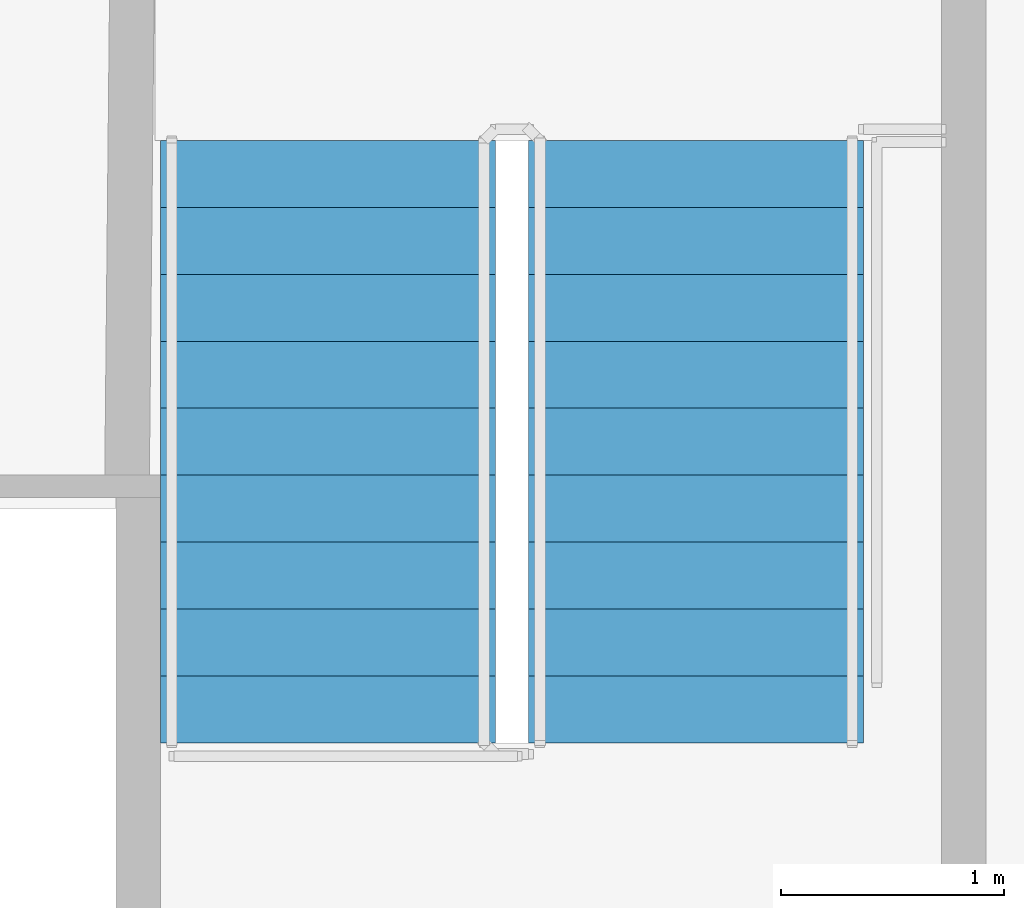
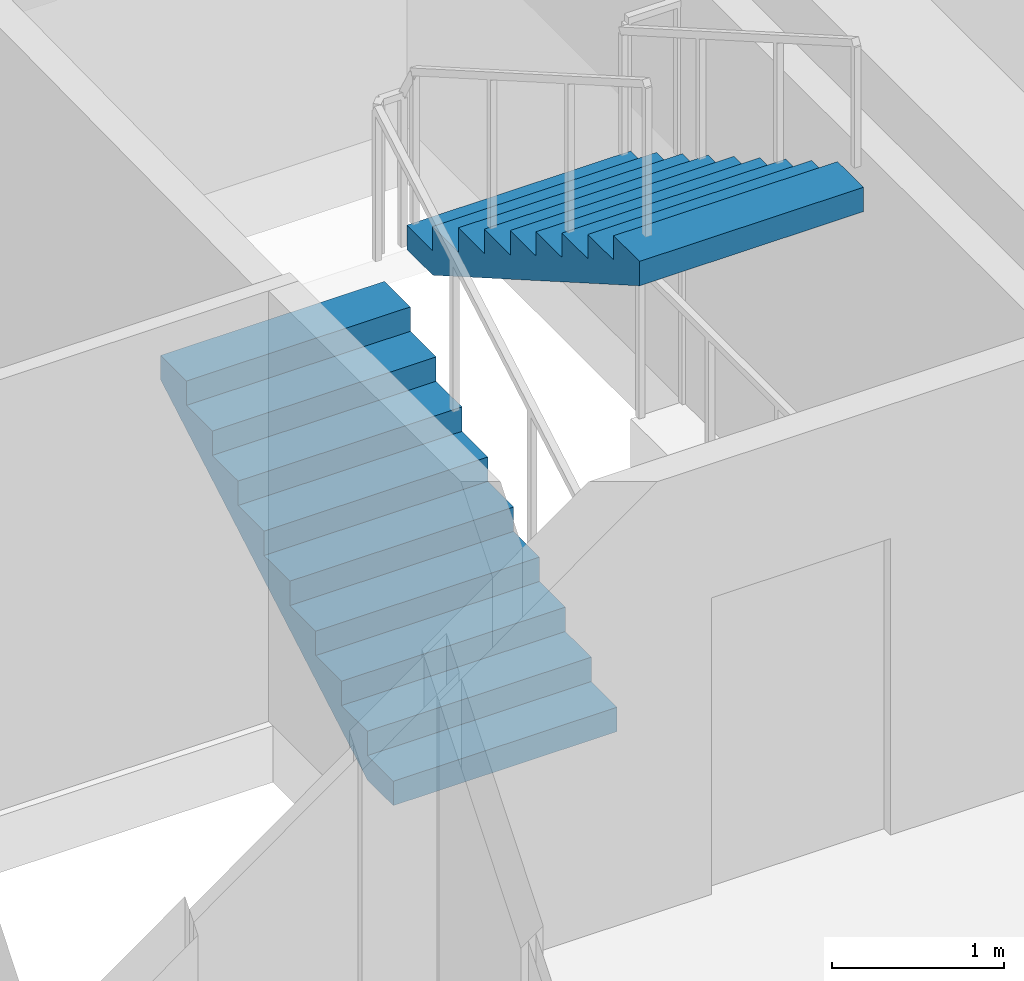
# One storey, part 13 of 17: 2 stair flights, 1 element without a shape of its own.
"""IFC4 building model written with IfcOpenShell, lengths in metres."""

from ifc_helpers import new_model, si_unit, direction, frame, origin, place, context, subcontext, project, spatial, polyline, outline, extrude, material, type_object, element, aggregate, save


model = new_model("IFC4")

# Units and contexts
model_context = context("Model", 3, precision=1e-05, world=origin(), true_north=direction((0.0, 1.0)))
body_context = subcontext(model_context, "Body", "Model", "MODEL_VIEW")
ifc_project = project(units=[si_unit("LENGTHUNIT", "METRE"), si_unit("AREAUNIT", "SQUARE_METRE"), si_unit("VOLUMEUNIT", "CUBIC_METRE"), si_unit("PLANEANGLEUNIT", "RADIAN"), si_unit("MASSUNIT", "GRAM", prefix="KILO")], contexts=[model_context])

# Site, building, storey
site_placement = place(None, origin())
site = spatial("IfcSite", under=ifc_project, at=site_placement, CompositionType="ELEMENT")
building_placement = place(site_placement, origin())
building = spatial("IfcBuilding", under=site, at=building_placement, Name="Vermilion Ogive Tower", CompositionType="ELEMENT")
storey_placement = place(building_placement, frame((0.0, 0.0, 192.800048828125)))
storey = spatial("IfcBuildingStorey", under=building, at=storey_placement, Name="L50", CompositionType="ELEMENT", Elevation=192.800048828125)

# Stair, stair flights
ifc_material_1 = material(Name="Concrete B40", Category="concrete")
stair_type = type_object("IfcStairType", Name="Exit stair 1500", PredefinedType="HALF_TURN_STAIR", material=ifc_material_1)
stair_placement = place(storey_placement, origin())
stair = element("IfcStair", 1, at=stair_placement, inside=storey, type_object=stair_type, Name="L50 Exit Stair ST2", PredefinedType="HALF_TURN_STAIR")
ifc_material_2 = material(Name="Concrete B40", Category="concrete")
stair_flight_type = type_object("IfcStairFlightType", Name="Stair flight 1500", PredefinedType="STRAIGHT", material=ifc_material_2)
stair_flight_1_placement = place(storey_placement, frame((4.85009765625, 14.85009765625, 0.0), z_axis=(0.0, 0.0, 1.0), x_axis=(0.0, 1.0, 0.0)))
stair_flight_1 = element("IfcStairFlight", 2, at=stair_flight_1_placement, type_object=stair_flight_type, Name="ST2 flight 1", NumberOfRisers=10, NumberOfTreads=9, PredefinedType="STRAIGHT", RiserHeight=0.1725, TreadLength=0.3, context=body_context, shape_type="SweptSolid", body=[
    extrude(outline(polyline([(0.0, 0.0), (0.0, 0.172607421875), (0.300048828125, 0.172607421875), (0.300048828125, 0.344970703125), (0.60009765625, 0.344970703125), (0.60009765625, 0.517578125), (0.89990234375, 0.517578125), (0.89990234375, 0.68994140625), (1.199951171875, 0.68994140625), (1.199951171875, 0.862548828125), (1.5, 0.862548828125), (1.5, 1.034912109375), (1.800048828125, 1.034912109375), (1.800048828125, 1.20751953125), (2.10009765625, 1.20751953125), (2.10009765625, 1.3798828125), (2.39990234375, 1.3798828125), (2.39990234375, 1.552490234375), (2.699951171875, 1.552490234375), (2.699951171875, 1.72509765625), (2.699951171875, 1.379638671875), (0.30078125, 0.0), (0.0, 0.0)])), frame((0.0, 0.75, 0.0), z_axis=(0.0, -1.0, 0.0), x_axis=(1.0, 0.0, 0.0)), (0.0, 0.0, 1.0), 1.5),
])
stair_flight_2_placement = place(storey_placement, frame((6.5, 17.550048828125, 1.724853515625), z_axis=(0.0, 0.0, 1.0), x_axis=(0.0, -1.0, 0.0)))
stair_flight_2 = element("IfcStairFlight", 3, at=stair_flight_2_placement, type_object=stair_flight_type, Name="ST2 flight 2", NumberOfRisers=10, NumberOfTreads=9, PredefinedType="STRAIGHT", RiserHeight=0.1725, TreadLength=0.3, context=body_context, shape_type="SweptSolid", body=[
    extrude(outline(polyline([(0.0, 0.0), (0.0, 0.172607421875), (0.300048828125, 0.172607421875), (0.300048828125, 0.344970703125), (0.60009765625, 0.344970703125), (0.60009765625, 0.517578125), (0.89990234375, 0.517578125), (0.89990234375, 0.68994140625), (1.199951171875, 0.68994140625), (1.199951171875, 0.862548828125), (1.5, 0.862548828125), (1.5, 1.034912109375), (1.800048828125, 1.034912109375), (1.800048828125, 1.20751953125), (2.10009765625, 1.20751953125), (2.10009765625, 1.3798828125), (2.39990234375, 1.3798828125), (2.39990234375, 1.552490234375), (2.699951171875, 1.552490234375), (2.699951171875, 1.72509765625), (2.699951171875, 1.379638671875), (0.30078125, 0.0), (0.0, 0.0)])), frame((0.0, 0.75, 0.0), z_axis=(0.0, -1.0, 0.0), x_axis=(1.0, 0.0, 0.0)), (0.0, 0.0, 1.0), 1.5),
])
aggregate(stair, [stair_flight_1, stair_flight_2])

save(model, "model.ifc")
